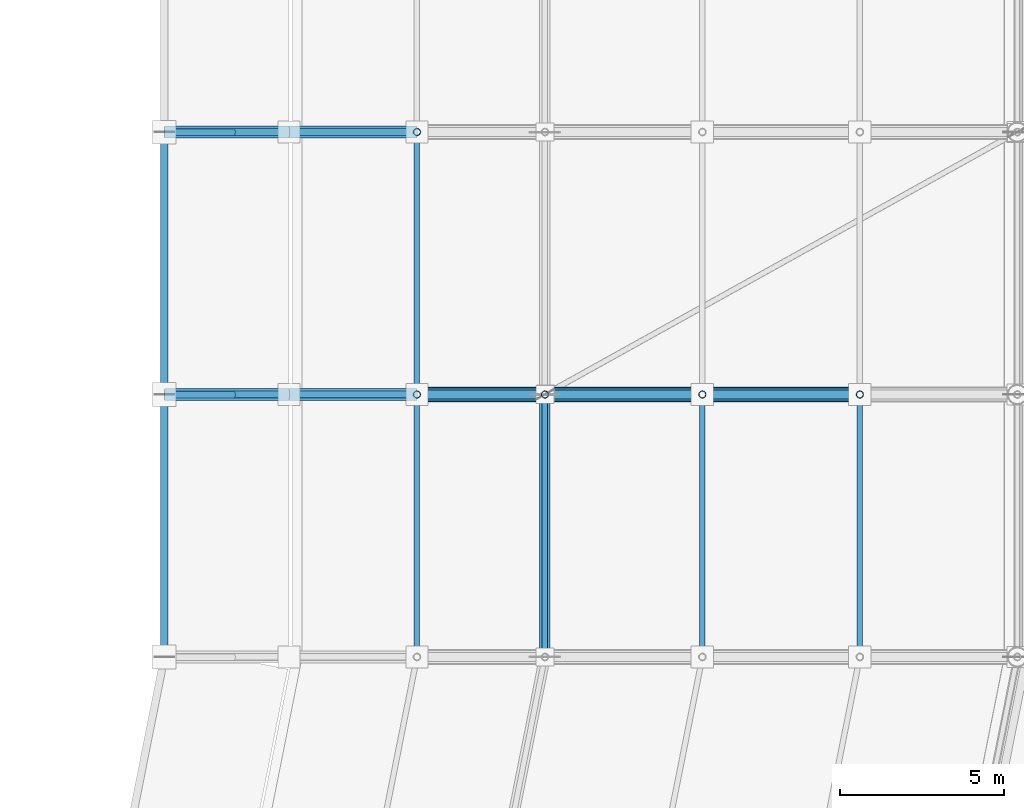
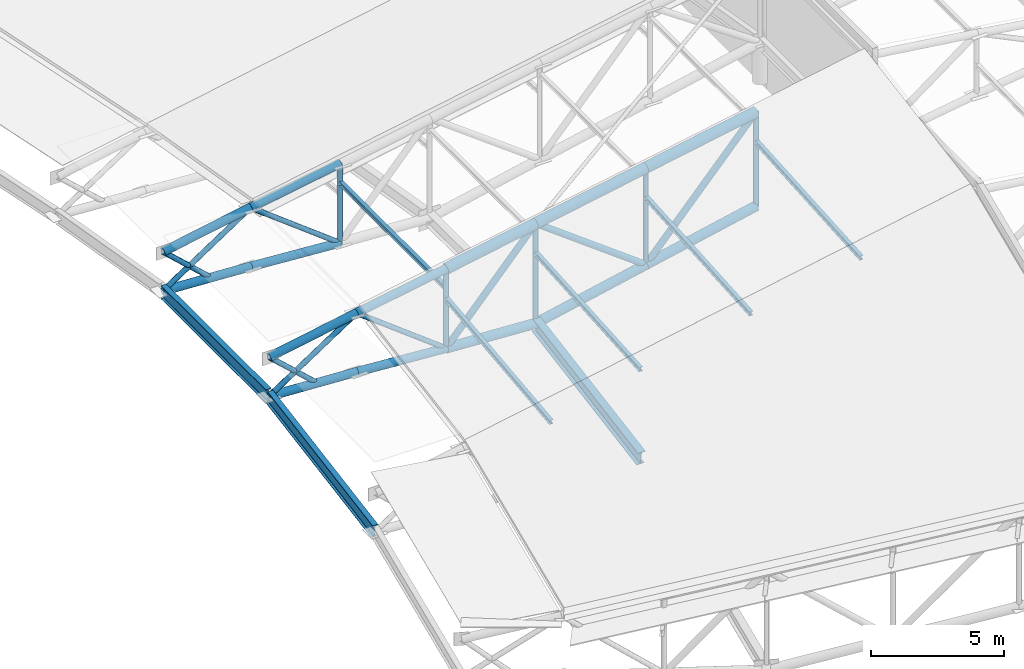
# One storey, part 73 of 146: 33 members, 3 beams.
"""IFC4 building model written with IfcOpenShell, lengths in metres."""

from ifc_helpers import new_model, si_unit, direction, frame, origin, origin_2d, place, context, subcontext, project, spatial, hollow_circle, i_section, extrude, material, material_profile, profile_set, type_object, element, save


model = new_model("IFC4")

# Units and contexts
model_context = context("Model", 3, precision=1e-05, world=origin(), true_north=direction((0.0, 1.0)))
body_context = subcontext(model_context, "Body", "Model", "MODEL_VIEW")
ifc_project = project(units=[si_unit("LENGTHUNIT", "METRE"), si_unit("AREAUNIT", "SQUARE_METRE"), si_unit("VOLUMEUNIT", "CUBIC_METRE"), si_unit("PLANEANGLEUNIT", "RADIAN"), si_unit("MASSUNIT", "GRAM", prefix="KILO")], contexts=[model_context])

# Site, building, storey
site_placement = place(None, origin())
site = spatial("IfcSite", under=ifc_project, at=site_placement, CompositionType="ELEMENT")
building_placement = place(site_placement, origin())
building = spatial("IfcBuilding", under=site, at=building_placement, Name="Candeia Ridge Stadium", CompositionType="ELEMENT")
storey_placement = place(building_placement, frame((0.0, 0.0, 31.800048828125)))
storey = spatial("IfcBuildingStorey", under=building, at=storey_placement, Name="RF", CompositionType="ELEMENT", Elevation=31.800048828125)

# Beams
ifc_material = material(Name="Steel ASTM A572 Grade 50", Category="steel")
ifc_material_profile_1 = material_profile(ifc_material, i_section(OverallWidth=0.324951171875, OverallDepth=0.615966796875, WebThickness=0.013916015625, FlangeThickness=0.021484375, FilletRadius=0.014892578125, at=origin_2d()), Name="W610x174", Category="steel")
ifc_profile_set_1 = profile_set([ifc_material_profile_1], Name="Steel ASTM A572 Grade 50")
beam_type_1 = type_object("IfcBeamType", Name="Roof Compression Ring Beam W610x174", PredefinedType="BEAM", material=ifc_profile_set_1)
beam_1_placement = place(storey_placement, frame((178.60009765625, 71.039306640625, -2.6572265625), z_axis=(0.0, 0.985328318339, 0.170669578656), x_axis=(-1.0, 0.0, 0.0)))
element("IfcBeam", 1, at=beam_1_placement, inside=storey, type_object=beam_type_1, Name="Roof compression ring beam bay 30", PredefinedType="BEAM", context=body_context, shape_type="SweptSolid", body=[
    extrude(i_section(OverallWidth=0.324951171875, OverallDepth=0.615966796875, WebThickness=0.013916015625, FlangeThickness=0.021484375, FilletRadius=0.014892578125, at=origin_2d()), origin(), (0.0, 0.0, 1.0), 8.039306640625),
])
ifc_material_profile_2 = material_profile(ifc_material, i_section(OverallWidth=0.22998046875, OverallDepth=0.616943359375, WebThickness=0.01318359375, FlangeThickness=0.022216796875, FilletRadius=0.014892578125, at=origin_2d()), Name="W610x140", Category="steel")
ifc_profile_set_2 = profile_set([ifc_material_profile_2], Name="Steel ASTM A572 Grade 50")
beam_type_2 = type_object("IfcBeamType", Name="Roof Inner Tension Ring Beam W610x140", PredefinedType="BEAM", material=ifc_profile_set_2)
beam_2_placement = place(storey_placement, frame((167.0, 71.039306640625, -1.953125), z_axis=(0.0, 0.985333424819, 0.170640094744), x_axis=(-1.0, 0.0, 0.0)))
element("IfcBeam", 2, at=beam_2_placement, inside=storey, type_object=beam_type_2, Name="Roof inner tension ring beam bay 30", PredefinedType="BEAM", context=body_context, shape_type="SweptSolid", body=[
    extrude(i_section(OverallWidth=0.22998046875, OverallDepth=0.616943359375, WebThickness=0.01318359375, FlangeThickness=0.022216796875, FilletRadius=0.014892578125, at=origin_2d()), origin(), (0.0, 0.0, 1.0), 8.039306640625),
])
beam_3_placement = place(storey_placement, frame((167.0, 79.0400390625, -0.574462890625), z_axis=(0.0, 1.0, 0.0), x_axis=(-1.0, 0.0, 0.0)))
element("IfcBeam", 3, at=beam_3_placement, inside=storey, type_object=beam_type_2, Name="Roof inner tension ring beam bay 31", PredefinedType="BEAM", context=body_context, shape_type="SweptSolid", body=[
    extrude(i_section(OverallWidth=0.22998046875, OverallDepth=0.616943359375, WebThickness=0.01318359375, FlangeThickness=0.022216796875, FilletRadius=0.014892578125, at=origin_2d()), origin(), (0.0, 0.0, 1.0), 7.919921875),
])

# Members
ifc_material_profile_3 = material_profile(ifc_material, i_section(OverallWidth=0.1650390625, OverallDepth=0.200927734375, WebThickness=0.006103515625, FlangeThickness=0.01025390625, FilletRadius=0.010009765625, at=origin_2d()), Name="W200x35.9", Category="steel")
ifc_profile_set_3 = profile_set([ifc_material_profile_3], Name="Steel ASTM A572 Grade 50")
member_type_1 = type_object("IfcMemberType", Name="Roof Purlin W200x35.9", PredefinedType="PURLIN", material=ifc_profile_set_3)
member_1_placement = place(storey_placement, frame((174.699951171875, 71.0498046875, 0.360107421875), z_axis=(0.0, 0.993733021818, 0.111779610612), x_axis=(-1.0, 0.0, 0.0)))
element("IfcMember", 4, at=member_1_placement, inside=storey, type_object=member_type_1, Name="Saddle roof steel purlin bay 30-1", PredefinedType="PURLIN", context=body_context, shape_type="SweptSolid", body=[
    extrude(i_section(OverallWidth=0.1650390625, OverallDepth=0.200927734375, WebThickness=0.006103515625, FlangeThickness=0.01025390625, FilletRadius=0.010009765625, at=origin_2d()), origin(), (0.0, 0.0, 1.0), 7.9501953125),
])
for number, where, z_axis, x_axis, name in (
    (5, (178.60009765625, 71.0498046875, 1.41943359375), (0.0, 0.997559396595, 0.069822992376), (-1.0, 0.0, 0.0), "Saddle roof steel purlin bay 30-2"),
    (6, (183.39990234375, 71.0498046875, 2.307373046875), (0.0, 0.997559396595, 0.069822992376), (-1.0, 0.0, 0.0), "Saddle roof steel purlin bay 30-3"),
    (7, (188.199951171875, 71.0498046875, 3.195556640625), (0.0, 0.997559396595, 0.069822992376), (-1.0, 0.0, 0.0), "Saddle roof steel purlin bay 30-4"),
):
    element("IfcMember", number, at=place(storey_placement, frame(where, z_axis=z_axis, x_axis=x_axis)), inside=storey, type_object=member_type_1, Name=name, PredefinedType="PURLIN", context=body_context, shape_type="SweptSolid", body=[
        extrude(i_section(OverallWidth=0.1650390625, OverallDepth=0.200927734375, WebThickness=0.006103515625, FlangeThickness=0.01025390625, FilletRadius=0.010009765625, at=origin_2d()), origin(), (0.0, 0.0, 1.0), 7.919677734375),
    ])
member_2_placement = place(storey_placement, frame((174.699951171875, 79.050048828125, 1.739990234375), z_axis=(0.0, 1.0, 0.0), x_axis=(-1.0, 0.0, 0.0)))
element("IfcMember", 8, at=member_2_placement, inside=storey, type_object=member_type_1, Name="Saddle roof steel purlin bay 31-1", PredefinedType="PURLIN", context=body_context, shape_type="SweptSolid", body=[
    extrude(i_section(OverallWidth=0.1650390625, OverallDepth=0.200927734375, WebThickness=0.006103515625, FlangeThickness=0.01025390625, FilletRadius=0.010009765625, at=origin_2d()), origin(), (0.0, 0.0, 1.0), 7.89990234375),
])
ifc_material_profile_4 = material_profile(ifc_material, hollow_circle(Radius=0.136474609375, WallThickness=0.010009765625, at=origin_2d()), Name="CHS273x10", Category="steel")
ifc_profile_set_4 = profile_set([ifc_material_profile_4], Name="Steel ASTM A572 Grade 50")
member_type_2 = type_object("IfcMemberType", Name="Roof Truss Heavy Web Brace CHS273x10", PredefinedType="BRACE", material=ifc_profile_set_4)
member_3_placement = place(storey_placement, frame((174.699951171875, 79.0, -1.05859375), z_axis=(0.665001791652, 0.0, 0.746841761754), x_axis=(0.0, 1.0, 0.0)))
element("IfcMember", 9, at=member_3_placement, inside=storey, type_object=member_type_2, Name="Roof cantilever truss RT-31 diagonal web 3", PredefinedType="BRACE", context=body_context, shape_type="SweptSolid", body=[
    extrude(hollow_circle(Radius=0.136474609375, WallThickness=0.010009765625, at=origin_2d()), origin(), (0.0, 0.0, 1.0), 5.86474609375),
])
member_4_placement = place(storey_placement, frame((178.60009765625, 79.0, 3.321533203125), z_axis=(0.801699676117, 0.0, -0.597727052519), x_axis=(0.0, 1.0, 0.0)))
element("IfcMember", 10, at=member_4_placement, inside=storey, type_object=member_type_2, Name="Roof cantilever truss RT-31 diagonal web 4", PredefinedType="BRACE", context=body_context, shape_type="SweptSolid", body=[
    extrude(hollow_circle(Radius=0.136474609375, WallThickness=0.010009765625, at=origin_2d()), origin(), (0.0, 0.0, 1.0), 5.987060546875),
])
member_5_placement = place(storey_placement, frame((183.39990234375, 79.0, -0.257080078125), z_axis=(0.667487252066, 0.0, 0.744621224737), x_axis=(0.0, 1.0, 0.0)))
element("IfcMember", 11, at=member_5_placement, inside=storey, type_object=member_type_2, Name="Roof cantilever truss RT-31 diagonal web 5", PredefinedType="BRACE", context=body_context, shape_type="SweptSolid", body=[
    extrude(hollow_circle(Radius=0.136474609375, WallThickness=0.010009765625, at=origin_2d()), origin(), (0.0, 0.0, 1.0), 7.191162109375),
])
ifc_material_profile_5 = material_profile(ifc_material, hollow_circle(Radius=0.109619140625, WallThickness=0.010009765625, at=origin_2d()), Name="CHS219x10", Category="steel")
ifc_profile_set_5 = profile_set([ifc_material_profile_5], Name="Steel ASTM A572 Grade 50")
member_type_3 = type_object("IfcMemberType", Name="Roof Truss Inner Web Brace CHS219x10", PredefinedType="BRACE", material=ifc_profile_set_5)
member_6_placement = place(storey_placement, frame((167.0, 79.0, -0.574462890625), z_axis=(0.835124576935, 0.0, 0.550060852087), x_axis=(0.0, 1.0, 0.0)))
element("IfcMember", 12, at=member_6_placement, inside=storey, type_object=member_type_3, Name="Roof cantilever truss RT-31 diagonal web 1", PredefinedType="BRACE", context=body_context, shape_type="SweptSolid", body=[
    extrude(hollow_circle(Radius=0.109619140625, WallThickness=0.010009765625, at=origin_2d()), origin(), (0.0, 0.0, 1.0), 4.55029296875),
])
member_7_placement = place(storey_placement, frame((170.800048828125, 79.0, 1.928466796875), z_axis=(0.793887844601, 0.0, -0.608064215519), x_axis=(0.0, 1.0, 0.0)))
element("IfcMember", 13, at=member_7_placement, inside=storey, type_object=member_type_3, Name="Roof cantilever truss RT-31 diagonal web 2", PredefinedType="BRACE", context=body_context, shape_type="SweptSolid", body=[
    extrude(hollow_circle(Radius=0.109619140625, WallThickness=0.010009765625, at=origin_2d()), origin(), (0.0, 0.0, 1.0), 4.912353515625),
])
member_8_placement = place(storey_placement, frame((169.090087890625, 79.0, -0.692138671875), z_axis=(-0.736836090738, 0.0, 0.676071427725), x_axis=(0.0, -1.0, 0.0)))
element("IfcMember", 14, at=member_8_placement, inside=storey, type_object=member_type_3, Name="Roof cantilever truss RT-31 vertical post 0", PredefinedType="BRACE", context=body_context, shape_type="SweptSolid", body=[
    extrude(hollow_circle(Radius=0.109619140625, WallThickness=0.010009765625, at=origin_2d()), origin(), (0.0, 0.0, 1.0), 2.836669921875),
])
member_9_placement = place(storey_placement, frame((174.699951171875, 79.0, -1.05859375), z_axis=(0.0, 0.0, 1.0), x_axis=(1.0, 0.0, 0.0)))
element("IfcMember", 15, at=member_9_placement, inside=storey, type_object=member_type_3, Name="Roof cantilever truss RT-31 vertical post 2", PredefinedType="BRACE", context=body_context, shape_type="SweptSolid", body=[
    extrude(hollow_circle(Radius=0.109619140625, WallThickness=0.010009765625, at=origin_2d()), origin(), (0.0, 0.0, 1.0), 3.65869140625),
])
member_10_placement = place(storey_placement, frame((178.60009765625, 79.0, -1.278564453125), z_axis=(0.0, 0.0, 1.0), x_axis=(1.0, 0.0, 0.0)))
element("IfcMember", 16, at=member_10_placement, inside=storey, type_object=member_type_3, Name="Roof cantilever truss RT-31 vertical post 3", PredefinedType="BRACE", context=body_context, shape_type="SweptSolid", body=[
    extrude(hollow_circle(Radius=0.109619140625, WallThickness=0.010009765625, at=origin_2d()), origin(), (0.0, 0.0, 1.0), 4.60009765625),
])
member_11_placement = place(storey_placement, frame((183.39990234375, 79.0, -0.257080078125), z_axis=(0.0, 0.0, 1.0), x_axis=(1.0, 0.0, 0.0)))
element("IfcMember", 17, at=member_11_placement, inside=storey, type_object=member_type_3, Name="Roof cantilever truss RT-31 vertical post 4", PredefinedType="BRACE", context=body_context, shape_type="SweptSolid", body=[
    extrude(hollow_circle(Radius=0.109619140625, WallThickness=0.010009765625, at=origin_2d()), origin(), (0.0, 0.0, 1.0), 4.466552734375),
])
member_12_placement = place(storey_placement, frame((188.199951171875, 79.0, 0.76416015625), z_axis=(0.0, 0.0, 1.0), x_axis=(1.0, 0.0, 0.0)))
element("IfcMember", 18, at=member_12_placement, inside=storey, type_object=member_type_3, Name="Roof cantilever truss RT-31 vertical post 5", PredefinedType="BRACE", context=body_context, shape_type="SweptSolid", body=[
    extrude(hollow_circle(Radius=0.109619140625, WallThickness=0.010009765625, at=origin_2d()), origin(), (0.0, 0.0, 1.0), 4.33349609375),
])
member_13_placement = place(storey_placement, frame((167.0, 87.0, -0.574462890625), z_axis=(0.835124576935, 0.0, 0.550060852087), x_axis=(0.0, 1.0, 0.0)))
element("IfcMember", 19, at=member_13_placement, inside=storey, type_object=member_type_3, Name="Roof cantilever truss RT-32 diagonal web 1", PredefinedType="BRACE", context=body_context, shape_type="SweptSolid", body=[
    extrude(hollow_circle(Radius=0.109619140625, WallThickness=0.010009765625, at=origin_2d()), origin(), (0.0, 0.0, 1.0), 4.55029296875),
])
member_14_placement = place(storey_placement, frame((170.800048828125, 87.0, 1.928466796875), z_axis=(0.793887844601, 0.0, -0.608064215519), x_axis=(0.0, 1.0, 0.0)))
element("IfcMember", 20, at=member_14_placement, inside=storey, type_object=member_type_3, Name="Roof cantilever truss RT-32 diagonal web 2", PredefinedType="BRACE", context=body_context, shape_type="SweptSolid", body=[
    extrude(hollow_circle(Radius=0.109619140625, WallThickness=0.010009765625, at=origin_2d()), origin(), (0.0, 0.0, 1.0), 4.912353515625),
])
member_15_placement = place(storey_placement, frame((169.090087890625, 87.0, -0.692138671875), z_axis=(-0.736836090738, 0.0, 0.676071427725), x_axis=(0.0, -1.0, 0.0)))
element("IfcMember", 21, at=member_15_placement, inside=storey, type_object=member_type_3, Name="Roof cantilever truss RT-32 vertical post 0", PredefinedType="BRACE", context=body_context, shape_type="SweptSolid", body=[
    extrude(hollow_circle(Radius=0.109619140625, WallThickness=0.010009765625, at=origin_2d()), origin(), (0.0, 0.0, 1.0), 2.836669921875),
])
member_16_placement = place(storey_placement, frame((174.699951171875, 87.0, -1.05859375), z_axis=(0.0, 0.0, 1.0), x_axis=(1.0, 0.0, 0.0)))
element("IfcMember", 22, at=member_16_placement, inside=storey, type_object=member_type_3, Name="Roof cantilever truss RT-32 vertical post 2", PredefinedType="BRACE", context=body_context, shape_type="SweptSolid", body=[
    extrude(hollow_circle(Radius=0.109619140625, WallThickness=0.010009765625, at=origin_2d()), origin(), (0.0, 0.0, 1.0), 3.65869140625),
])
ifc_material_profile_6 = material_profile(ifc_material, hollow_circle(Radius=0.228515625, WallThickness=0.02001953125, at=origin_2d()), Name="CHS457x20", Category="steel")
ifc_profile_set_6 = profile_set([ifc_material_profile_6], Name="Steel ASTM A572 Grade 50")
member_type_4 = type_object("IfcMemberType", Name="Roof Truss Main Chord CHS457x20", PredefinedType="CHORD", material=ifc_profile_set_6)
member_17_placement = place(storey_placement, frame((174.699951171875, 79.0, 2.60009765625), z_axis=(0.983318721205, 0.0, 0.181890880824), x_axis=(0.0, 1.0, 0.0)))
element("IfcMember", 23, at=member_17_placement, inside=storey, type_object=member_type_4, Name="Roof cantilever truss RT-31 top chord 3", PredefinedType="CHORD", context=body_context, shape_type="SweptSolid", body=[
    extrude(hollow_circle(Radius=0.228515625, WallThickness=0.02001953125, at=origin_2d()), origin(), (0.0, 0.0, 1.0), 3.96630859375),
])
member_18_placement = place(storey_placement, frame((178.60009765625, 79.0, 3.321533203125), z_axis=(0.983315487156, 0.0, 0.181908363519), x_axis=(0.0, 1.0, 0.0)))
element("IfcMember", 24, at=member_18_placement, inside=storey, type_object=member_type_4, Name="Roof cantilever truss RT-31 top chord 4", PredefinedType="CHORD", context=body_context, shape_type="SweptSolid", body=[
    extrude(hollow_circle(Radius=0.228515625, WallThickness=0.02001953125, at=origin_2d()), origin(), (0.0, 0.0, 1.0), 4.88134765625),
])
member_19_placement = place(storey_placement, frame((183.39990234375, 79.0, 4.20947265625), z_axis=(0.983308195319, 0.0, 0.181947775524), x_axis=(0.0, 1.0, 0.0)))
element("IfcMember", 25, at=member_19_placement, inside=storey, type_object=member_type_4, Name="Roof cantilever truss RT-31 top chord 5", PredefinedType="CHORD", context=body_context, shape_type="SweptSolid", body=[
    extrude(hollow_circle(Radius=0.228515625, WallThickness=0.02001953125, at=origin_2d()), origin(), (0.0, 0.0, 1.0), 4.881591796875),
])
ifc_material_profile_7 = material_profile(ifc_material, hollow_circle(Radius=0.202880859375, WallThickness=0.01611328125, at=origin_2d()), Name="CHS406x16", Category="steel")
ifc_profile_set_7 = profile_set([ifc_material_profile_7], Name="Steel ASTM A572 Grade 50")
member_type_5 = type_object("IfcMemberType", Name="Roof Truss Outer Chord CHS406x16", PredefinedType="CHORD", material=ifc_profile_set_7)
member_20_placement = place(storey_placement, frame((174.699951171875, 79.0, -1.05859375), z_axis=(0.998413269272, 0.0, -0.056311133372), x_axis=(0.0, 1.0, 0.0)))
element("IfcMember", 26, at=member_20_placement, inside=storey, type_object=member_type_5, Name="Roof cantilever truss RT-31 bottom chord 3", PredefinedType="CHORD", context=body_context, shape_type="SweptSolid", body=[
    extrude(hollow_circle(Radius=0.202880859375, WallThickness=0.01611328125, at=origin_2d()), origin(), (0.0, 0.0, 1.0), 3.90625),
])
member_21_placement = place(storey_placement, frame((178.60009765625, 79.0, -1.278564453125), z_axis=(0.978095585526, 0.0, 0.208156252789), x_axis=(0.0, 1.0, 0.0)))
element("IfcMember", 27, at=member_21_placement, inside=storey, type_object=member_type_5, Name="Roof cantilever truss RT-31 bottom chord 4", PredefinedType="CHORD", context=body_context, shape_type="SweptSolid", body=[
    extrude(hollow_circle(Radius=0.202880859375, WallThickness=0.01611328125, at=origin_2d()), origin(), (0.0, 0.0, 1.0), 4.9072265625),
])
member_22_placement = place(storey_placement, frame((183.39990234375, 79.0, -0.257080078125), z_axis=(0.97810786804, 0.0, 0.208098530696), x_axis=(0.0, 1.0, 0.0)))
element("IfcMember", 28, at=member_22_placement, inside=storey, type_object=member_type_5, Name="Roof cantilever truss RT-31 bottom chord 5", PredefinedType="CHORD", context=body_context, shape_type="SweptSolid", body=[
    extrude(hollow_circle(Radius=0.202880859375, WallThickness=0.01611328125, at=origin_2d()), origin(), (0.0, 0.0, 1.0), 4.907470703125),
])
ifc_material_profile_8 = material_profile(ifc_material, hollow_circle(Radius=0.177734375, WallThickness=0.01416015625, at=origin_2d()), Name="CHS355x14", Category="steel")
ifc_profile_set_8 = profile_set([ifc_material_profile_8], Name="Steel ASTM A572 Grade 50")
member_type_6 = type_object("IfcMemberType", Name="Roof Truss Tip Chord CHS355x14", PredefinedType="CHORD", material=ifc_profile_set_8)
member_23_placement = place(storey_placement, frame((167.0, 79.0, 1.2255859375), z_axis=(0.9833205248, 0.0, 0.181881130157), x_axis=(0.0, 1.0, 0.0)))
element("IfcMember", 29, at=member_23_placement, inside=storey, type_object=member_type_6, Name="Roof cantilever truss RT-31 top chord 1", PredefinedType="CHORD", context=body_context, shape_type="SweptSolid", body=[
    extrude(hollow_circle(Radius=0.177734375, WallThickness=0.01416015625, at=origin_2d()), origin(), (0.0, 0.0, 1.0), 3.864501953125),
])
member_24_placement = place(storey_placement, frame((167.0, 79.0, -0.574462890625), z_axis=(0.998416425934, 0.0, -0.05625513688), x_axis=(0.0, 1.0, 0.0)))
element("IfcMember", 30, at=member_24_placement, inside=storey, type_object=member_type_6, Name="Roof cantilever truss RT-31 bottom chord 1", PredefinedType="CHORD", context=body_context, shape_type="SweptSolid", body=[
    extrude(hollow_circle(Radius=0.177734375, WallThickness=0.01416015625, at=origin_2d()), origin(), (0.0, 0.0, 1.0), 3.80615234375),
])
member_25_placement = place(storey_placement, frame((170.800048828125, 79.0, 1.928466796875), z_axis=(0.985492511851, 0.0, 0.169718911988), x_axis=(0.0, 1.0, 0.0)))
element("IfcMember", 31, at=member_25_placement, inside=storey, type_object=member_type_6, Name="Roof cantilever truss RT-31 top chord 2", PredefinedType="CHORD", context=body_context, shape_type="SweptSolid", body=[
    extrude(hollow_circle(Radius=0.177734375, WallThickness=0.01416015625, at=origin_2d()), origin(), (0.0, 0.0, 1.0), 3.957275390625),
])
member_26_placement = place(storey_placement, frame((170.800048828125, 79.0, -0.78857421875), z_axis=(0.997611667068, 0.0, -0.069072148728), x_axis=(0.0, 1.0, 0.0)))
element("IfcMember", 32, at=member_26_placement, inside=storey, type_object=member_type_6, Name="Roof cantilever truss RT-31 bottom chord 2", PredefinedType="CHORD", context=body_context, shape_type="SweptSolid", body=[
    extrude(hollow_circle(Radius=0.177734375, WallThickness=0.01416015625, at=origin_2d()), origin(), (0.0, 0.0, 1.0), 3.9091796875),
])
member_27_placement = place(storey_placement, frame((167.0, 87.0, 1.2255859375), z_axis=(0.9833205248, 0.0, 0.181881130157), x_axis=(0.0, 1.0, 0.0)))
element("IfcMember", 33, at=member_27_placement, inside=storey, type_object=member_type_6, Name="Roof cantilever truss RT-32 top chord 1", PredefinedType="CHORD", context=body_context, shape_type="SweptSolid", body=[
    extrude(hollow_circle(Radius=0.177734375, WallThickness=0.01416015625, at=origin_2d()), origin(), (0.0, 0.0, 1.0), 3.864501953125),
])
member_28_placement = place(storey_placement, frame((167.0, 87.0, -0.574462890625), z_axis=(0.998416425934, 0.0, -0.05625513688), x_axis=(0.0, 1.0, 0.0)))
element("IfcMember", 34, at=member_28_placement, inside=storey, type_object=member_type_6, Name="Roof cantilever truss RT-32 bottom chord 1", PredefinedType="CHORD", context=body_context, shape_type="SweptSolid", body=[
    extrude(hollow_circle(Radius=0.177734375, WallThickness=0.01416015625, at=origin_2d()), origin(), (0.0, 0.0, 1.0), 3.80615234375),
])
member_29_placement = place(storey_placement, frame((170.800048828125, 87.0, 1.928466796875), z_axis=(0.985492511851, 0.0, 0.169718911988), x_axis=(0.0, 1.0, 0.0)))
element("IfcMember", 35, at=member_29_placement, inside=storey, type_object=member_type_6, Name="Roof cantilever truss RT-32 top chord 2", PredefinedType="CHORD", context=body_context, shape_type="SweptSolid", body=[
    extrude(hollow_circle(Radius=0.177734375, WallThickness=0.01416015625, at=origin_2d()), origin(), (0.0, 0.0, 1.0), 3.957275390625),
])
member_30_placement = place(storey_placement, frame((170.800048828125, 87.0, -0.78857421875), z_axis=(0.997611667068, 0.0, -0.069072148728), x_axis=(0.0, 1.0, 0.0)))
element("IfcMember", 36, at=member_30_placement, inside=storey, type_object=member_type_6, Name="Roof cantilever truss RT-32 bottom chord 2", PredefinedType="CHORD", context=body_context, shape_type="SweptSolid", body=[
    extrude(hollow_circle(Radius=0.177734375, WallThickness=0.01416015625, at=origin_2d()), origin(), (0.0, 0.0, 1.0), 3.9091796875),
])

save(model, "model.ifc")
